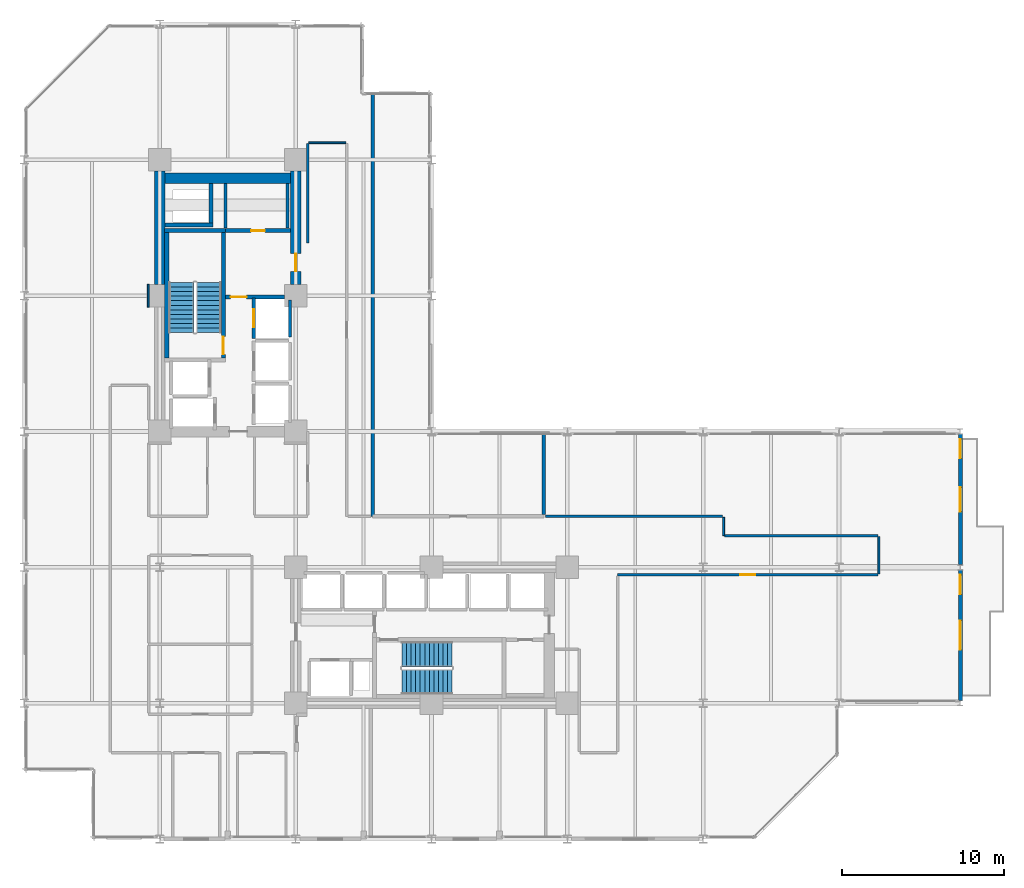
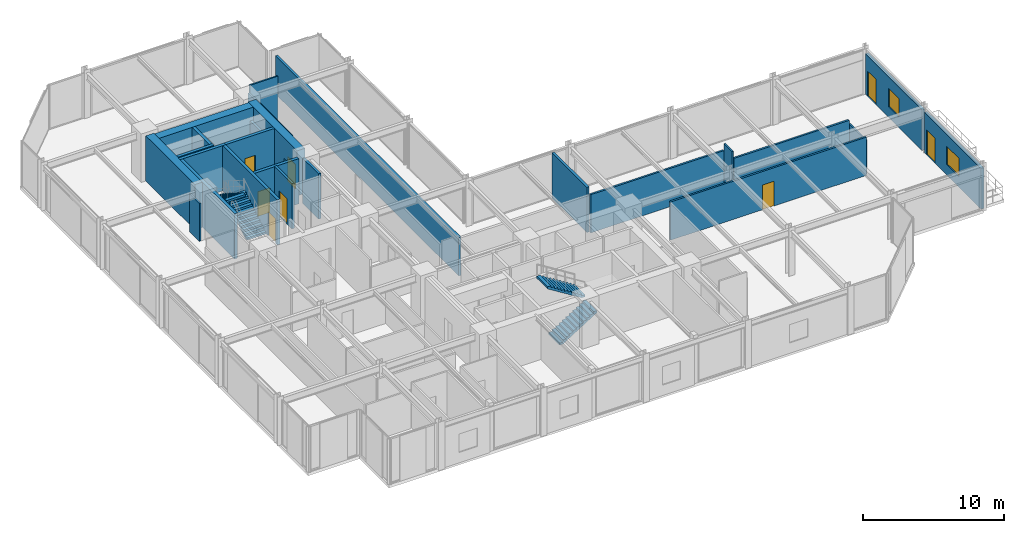
# One storey, part 23 of 26: 26 walls, 8 doors, 4 stair flights, 2 windows, 10 openings, 2 elements without a shape of their own.
"""IFC4 building model written with IfcOpenShell, lengths in metres."""

from ifc_helpers import new_model, si_unit, direction, frame, frame_2d, origin, place, context, subcontext, project, spatial, polyline, rectangle, outline, extrude, material, layer, layer_set, type_object, element, fill, aggregate, save


model = new_model("IFC4")

# Units and contexts
model_context = context("Model", 3, precision=1e-05, world=origin(), true_north=direction((0.0, 1.0)))
body_context = subcontext(model_context, "Body", "Model", "MODEL_VIEW")
ifc_project = project(units=[si_unit("LENGTHUNIT", "METRE"), si_unit("AREAUNIT", "SQUARE_METRE"), si_unit("VOLUMEUNIT", "CUBIC_METRE"), si_unit("PLANEANGLEUNIT", "RADIAN"), si_unit("MASSUNIT", "GRAM", prefix="KILO")], contexts=[model_context])

# Site, building, storey
site_placement = place(None, origin())
site = spatial("IfcSite", under=ifc_project, at=site_placement, CompositionType="ELEMENT")
building_placement = place(site_placement, origin())
building = spatial("IfcBuilding", under=site, at=building_placement, Name="Nerrivon Quay Data Exchange", CompositionType="ELEMENT")
storey_placement = place(building_placement, frame((0.0, 0.0, 71.0)))
storey = spatial("IfcBuildingStorey", under=building, at=storey_placement, Name="L16", CompositionType="ELEMENT", Elevation=71.0)

# Wall, openings, door, window
ifc_material_1 = material(Name="Architectural terracotta precast concrete N50 (50 MPa)", Category="masonry")
ifc_layer_1 = layer(ifc_material_1, 0.239990234375)
ifc_layer_set_1 = layer_set([ifc_layer_1], Name="Architectural terracotta precast concrete N50 (50 MPa)")
wall_type_1 = type_object("IfcWallType", Name="EW-PREC-240", PredefinedType="STANDARD", material=ifc_layer_set_1)
wall_1_placement = place(storey_placement, frame((57.89990234375, 25.03662109375, 0.0), z_axis=(0.0, 0.0, 1.0), x_axis=(0.0, -1.0, 0.0)))
wall_1 = element("IfcWall", 1, at=wall_1_placement, inside=storey, type_object=wall_type_1, Name="L16 Terrace Host Wall 1", PredefinedType="STANDARD", context=body_context, shape_type="SweptSolid", body=[
    extrude(rectangle(XDim=8.0732421875, YDim=0.239990234375, at=frame_2d((4.03662109375, 0.0))), origin(), (0.0, 0.0, 1.0), 3.52197265625),
])
opening_1_placement = place(wall_1_placement, frame((0.300048828125, 0.0, 0.0)))
opening_1 = element("IfcOpeningElement", 2, at=opening_1_placement, cuts=wall_1, Name="Opening TD1", PredefinedType="OPENING", context=body_context, shape_type="SweptSolid", body=[
    extrude(rectangle(XDim=1.199951171875, YDim=2.199951171875, at=frame_2d((0.60009765625, 1.10009765625))), frame((0.0, 0.1298828125, 0.0), z_axis=(0.0, -1.0, 0.0), x_axis=(1.0, 0.0, 0.0)), (0.0, 0.0, 1.0), 0.260009765625),
])
opening_2_placement = place(wall_1_placement, frame((3.28662109375, 0.0, 0.89990234375)))
opening_2 = element("IfcOpeningElement", 3, at=opening_2_placement, cuts=wall_1, Name="Opening WN4", PredefinedType="OPENING", context=body_context, shape_type="SweptSolid", body=[
    extrude(rectangle(XDim=1.5, YDim=1.60009765625, at=frame_2d((0.75, 0.800048828125))), frame((0.0, 0.1298828125, 0.0), z_axis=(0.0, -1.0, 0.0), x_axis=(1.0, 0.0, 0.0)), (0.0, 0.0, 1.0), 0.260009765625),
])
ifc_material_2 = material(Name="Double-glazed low-E solar control glass", Category="glass")
door_type_1 = type_object("IfcDoorType", Name="DR-TERR-1200x2200", OperationType="NOTDEFINED", PredefinedType="DOOR", material=ifc_material_2)
door_1_placement = place(opening_1_placement, origin())
door_1 = element("IfcDoor", 4, at=door_1_placement, inside=storey, type_object=door_type_1, Name="L16 Outdoor Terrace Access Door 1", OperationType="SINGLE_SWING_RIGHT", OverallHeight=2.199951171875, OverallWidth=1.199951171875, PredefinedType="DOOR", context=body_context, shape_type="SweptSolid", body=[
    extrude(rectangle(XDim=1.199951171875, YDim=2.199951171875, at=frame_2d((0.60009765625, 1.10009765625))), frame((0.0, 0.02490234375, 0.0), z_axis=(0.0, -1.0, 0.0), x_axis=(1.0, 0.0, 0.0)), (0.0, 0.0, 1.0), 0.050048828125),
])
fill(opening_1, door_1)
window_type_1 = type_object("IfcWindowType", Name="WIN-W4-1500x1600", PartitioningType="SINGLE_PANEL", PredefinedType="WINDOW", material=ifc_material_2)
window_1_placement = place(opening_2_placement, origin())
window_1 = element("IfcWindow", 5, at=window_1_placement, inside=storey, type_object=window_type_1, Name="L16 Terrace Side Window 1", OverallHeight=1.60009765625, OverallWidth=1.5, PartitioningType="SINGLE_PANEL", PredefinedType="WINDOW", context=body_context, shape_type="SweptSolid", body=[
    extrude(rectangle(XDim=1.5, YDim=1.60009765625, at=frame_2d((0.75, 0.800048828125))), frame((0.0, 0.030029296875, 0.0), z_axis=(0.0, -1.0, 0.0), x_axis=(1.0, 0.0, 0.0)), (0.0, 0.0, 1.0), 0.06005859375),
])
fill(opening_2, window_1)

wall_2_placement = place(storey_placement, frame((57.89990234375, 16.636474609375, 0.0), z_axis=(0.0, 0.0, 1.0), x_axis=(0.0, -1.0, 0.0)))
wall_2 = element("IfcWall", 6, at=wall_2_placement, inside=storey, type_object=wall_type_1, Name="L16 Terrace Host Wall 2", PredefinedType="STANDARD", context=body_context, shape_type="SweptSolid", body=[
    extrude(rectangle(XDim=8.072998046875, YDim=0.239990234375, at=frame_2d((4.03662109375, 0.0))), origin(), (0.0, 0.0, 1.0), 3.52197265625),
])
opening_3_placement = place(wall_2_placement, frame((0.300048828125, 0.0, 0.0)))
opening_3 = element("IfcOpeningElement", 7, at=opening_3_placement, cuts=wall_2, Name="Opening TD1", PredefinedType="OPENING", context=body_context, shape_type="SweptSolid", body=[
    extrude(rectangle(XDim=1.199951171875, YDim=2.199951171875, at=frame_2d((0.60009765625, 1.10009765625))), frame((0.0, 0.1298828125, 0.0), z_axis=(0.0, -1.0, 0.0), x_axis=(1.0, 0.0, 0.0)), (0.0, 0.0, 1.0), 0.260009765625),
])
opening_4_placement = place(wall_2_placement, frame((3.136474609375, 0.0, 0.89990234375)))
opening_4 = element("IfcOpeningElement", 8, at=opening_4_placement, cuts=wall_2, Name="Opening WN2", PredefinedType="OPENING", context=body_context, shape_type="SweptSolid", body=[
    extrude(rectangle(XDim=1.800048828125, YDim=1.60009765625, at=frame_2d((0.89990234375, 0.800048828125))), frame((0.0, 0.1298828125, 0.0), z_axis=(0.0, -1.0, 0.0), x_axis=(1.0, 0.0, 0.0)), (0.0, 0.0, 1.0), 0.260009765625),
])
door_2_placement = place(opening_3_placement, origin())
door_2 = element("IfcDoor", 9, at=door_2_placement, inside=storey, type_object=door_type_1, Name="L16 Outdoor Terrace Access Door 2", OperationType="SINGLE_SWING_LEFT", OverallHeight=2.199951171875, OverallWidth=1.199951171875, PredefinedType="DOOR", context=body_context, shape_type="SweptSolid", body=[
    extrude(rectangle(XDim=1.199951171875, YDim=2.199951171875, at=frame_2d((0.60009765625, 1.10009765625))), frame((0.0, 0.02490234375, 0.0), z_axis=(0.0, -1.0, 0.0), x_axis=(1.0, 0.0, 0.0)), (0.0, 0.0, 1.0), 0.050048828125),
])
fill(opening_3, door_2)
window_type_2 = type_object("IfcWindowType", Name="WIN-W2-1800x1600", PartitioningType="SINGLE_PANEL", PredefinedType="WINDOW", material=ifc_material_2)
window_2_placement = place(opening_4_placement, origin())
window_2 = element("IfcWindow", 10, at=window_2_placement, inside=storey, type_object=window_type_2, Name="L16 Terrace Side Window 2", OverallHeight=1.60009765625, OverallWidth=1.800048828125, PartitioningType="SINGLE_PANEL", PredefinedType="WINDOW", context=body_context, shape_type="SweptSolid", body=[
    extrude(rectangle(XDim=1.800048828125, YDim=1.60009765625, at=frame_2d((0.89990234375, 0.800048828125))), frame((0.0, 0.030029296875, 0.0), z_axis=(0.0, -1.0, 0.0), x_axis=(1.0, 0.0, 0.0)), (0.0, 0.0, 1.0), 0.06005859375),
])
fill(opening_4, window_2)

# Walls
ifc_material_3 = material(Name="Concrete N80 (80 MPa)", Category="concrete")
ifc_layer_2 = layer(ifc_material_3, 0.64990234375)
ifc_layer_set_2 = layer_set([ifc_layer_2], Name="Concrete N80 (80 MPa)")
wall_type_2 = type_object("IfcWallType", Name="WALL-CW-850", PredefinedType="SHEAR", material=ifc_layer_set_2)
wall_3_placement = place(storey_placement, frame((8.39990234375, 34.300048828125, 0.0), z_axis=(0.0, 0.0, 1.0), x_axis=(0.0, 1.0, 0.0)))
element("IfcWall", 11, at=wall_3_placement, inside=storey, type_object=wall_type_2, Name="L16 West Split-Core Shear Wall WCW-W2", PredefinedType="SHEAR", context=body_context, shape_type="SweptSolid", body=[
    extrude(rectangle(XDim=7.0, YDim=0.64990234375, at=frame_2d((3.5, 0.0))), origin(), (0.0, 0.0, 1.0), 3.925048828125),
])
wall_4_placement = place(storey_placement, frame((8.72509765625, 40.875, 0.0), z_axis=(0.0, 0.0, 1.0), x_axis=(1.0, 0.0, 0.0)))
element("IfcWall", 12, at=wall_4_placement, inside=storey, type_object=wall_type_2, Name="L16 West Split-Core Shear Wall WCW-N1", PredefinedType="SHEAR", context=body_context, shape_type="SweptSolid", body=[
    extrude(rectangle(XDim=7.75, YDim=0.64990234375, at=frame_2d((3.875, 0.0))), origin(), (0.0, 0.0, 1.0), 3.925048828125),
])

# Wall, opening, door
wall_5_placement = place(storey_placement, frame((16.800048828125, 34.300048828125, 0.0), z_axis=(0.0, 0.0, 1.0), x_axis=(0.0, 1.0, 0.0)))
wall_5 = element("IfcWall", 13, at=wall_5_placement, inside=storey, type_object=wall_type_2, Name="L16 West Split-Core Shear Wall WCW-E1", PredefinedType="SHEAR", context=body_context, shape_type="SweptSolid", body=[
    extrude(rectangle(XDim=7.0, YDim=0.64990234375, at=frame_2d((3.5, 0.0))), origin(), (0.0, 0.0, 1.0), 3.925048828125),
])
opening_5_placement = place(wall_5_placement, frame((0.800048828125, 0.0, 0.0)))
opening_5 = element("IfcOpeningElement", 14, at=opening_5_placement, cuts=wall_5, Name="Opening FD-120", PredefinedType="OPENING", context=body_context, shape_type="SweptSolid", body=[
    extrude(rectangle(XDim=1.10009765625, YDim=2.14990234375, at=frame_2d((0.550048828125, 1.074951171875))), frame((0.0, 0.3349609375, 0.0), z_axis=(0.0, -1.0, 0.0), x_axis=(1.0, 0.0, 0.0)), (0.0, 0.0, 1.0), 0.669921875),
])
ifc_material_4 = material(Name="Powder-coated galvanized steel sheet", Category="steel")
door_type_2 = type_object("IfcDoorType", Name="DR-FD120-1100", OperationType="NOTDEFINED", PredefinedType="DOOR", material=ifc_material_4)
door_3_placement = place(opening_5_placement, origin())
door_3 = element("IfcDoor", 15, at=door_3_placement, inside=storey, type_object=door_type_2, Name="L16 West Core Lobby Fire Door", OperationType="SINGLE_SWING_RIGHT", OverallHeight=2.14990234375, OverallWidth=1.10009765625, PredefinedType="DOOR", context=body_context, shape_type="SweptSolid", body=[
    extrude(rectangle(XDim=1.10009765625, YDim=2.14990234375, at=frame_2d((0.550048828125, 1.074951171875))), frame((0.0, 0.02490234375, 0.0), z_axis=(0.0, -1.0, 0.0), x_axis=(1.0, 0.0, 0.0)), (0.0, 0.0, 1.0), 0.050048828125),
])
fill(opening_5, door_3)

ifc_material_5 = material(Name="Gypsum plasterboard on cold-formed framing", Category="gypsum")
ifc_layer_3 = layer(ifc_material_5, 0.199951171875)
ifc_layer_set_3 = layer_set([ifc_layer_3], Name="Gypsum plasterboard on cold-formed framing")
wall_type_3 = type_object("IfcWallType", Name="WALL-FW-200", PredefinedType="PARTITIONING", material=ifc_layer_set_3)
wall_6_placement = place(storey_placement, frame((14.199951171875, 30.949951171875, 0.0), z_axis=(0.0, 0.0, 1.0), x_axis=(0.0, 1.0, 0.0)))
wall_6 = element("IfcWall", 16, at=wall_6_placement, inside=storey, type_object=wall_type_3, Name="L16 Lift Front Wall PL3", PredefinedType="PARTITIONING", context=body_context, shape_type="SweptSolid", body=[
    extrude(rectangle(XDim=2.5, YDim=0.199951171875, at=frame_2d((1.25, 0.0))), origin(), (0.0, 0.0, 1.0), 3.925048828125),
])
opening_6_placement = place(wall_6_placement, frame((0.699951171875, 0.0, 0.0)))
opening_6 = element("IfcOpeningElement", 17, at=opening_6_placement, cuts=wall_6, Name="Opening LD-120", PredefinedType="OPENING", context=body_context, shape_type="SweptSolid", body=[
    extrude(rectangle(XDim=1.10009765625, YDim=2.199951171875, at=frame_2d((0.550048828125, 1.10009765625))), frame((0.0, 0.10986328125, 0.0), z_axis=(0.0, -1.0, 0.0), x_axis=(1.0, 0.0, 0.0)), (0.0, 0.0, 1.0), 0.219970703125),
])
door_type_3 = type_object("IfcDoorType", Name="DR-LIFT-LD120", OperationType="DOUBLE_DOOR_SLIDING", PredefinedType="DOOR", material=ifc_material_4)
door_4_placement = place(opening_6_placement, origin())
door_4 = element("IfcDoor", 18, at=door_4_placement, inside=storey, type_object=door_type_3, Name="L16 Lift Landing Sliding Door PL3", OperationType="DOUBLE_DOOR_SLIDING", OverallHeight=2.199951171875, OverallWidth=1.10009765625, PredefinedType="DOOR", context=body_context, shape_type="SweptSolid", body=[
    extrude(rectangle(XDim=1.10009765625, YDim=2.199951171875, at=frame_2d((0.550048828125, 1.10009765625))), frame((0.0, 0.02490234375, 0.0), z_axis=(0.0, -1.0, 0.0), x_axis=(1.0, 0.0, 0.0)), (0.0, 0.0, 1.0), 0.050048828125),
])
fill(opening_6, door_4)

# Walls
wall_7_placement = place(storey_placement, frame((16.449951171875, 31.050048828125, 0.0), z_axis=(0.0, 0.0, 1.0), x_axis=(0.0, 1.0, 0.0)))
element("IfcWall", 19, at=wall_7_placement, inside=storey, type_object=wall_type_3, Name="L16 Lift Shaft Wall PL3 EAST", PredefinedType="PARTITIONING", context=body_context, shape_type="SweptSolid", body=[
    extrude(rectangle(XDim=2.300048828125, YDim=0.199951171875, at=frame_2d((1.14990234375, 0.0))), origin(), (0.0, 0.0, 1.0), 3.925048828125),
])
for number, where, z_axis, x_axis, name in (
    (20, (16.300048828125, 37.780029296875, 0.0), (0.0, 0.0, 1.0), (0.0, 1.0, 0.0), "L16 Partition Cleaners Store"),
    (21, (12.449951171875, 40.5458984375, 0.0), (0.0, 0.0, 1.0), (0.0, -1.0, 0.0), "L16 Partition Cleaners Store"),
):
    element("IfcWall", number, at=place(storey_placement, frame(where, z_axis=z_axis, x_axis=x_axis)), inside=storey, type_object=wall_type_3, Name=name, PredefinedType="PARTITIONING", context=body_context, shape_type="SweptSolid", body=[
        extrude(rectangle(XDim=2.765869140625, YDim=0.199951171875, at=frame_2d((1.3828125, 0.0))), origin(), (0.0, 0.0, 1.0), 2.824951171875),
    ])
wall_8_placement = place(storey_placement, frame((21.556884765625, 46.031005859375, 0.0), z_axis=(0.0, 0.0, 1.0), x_axis=(0.0, -1.0, 0.0)))
element("IfcWall", 22, at=wall_8_placement, inside=storey, type_object=wall_type_3, Name="L16 Partition Colocation Data Workspace 2", PredefinedType="PARTITIONING", context=body_context, shape_type="SweptSolid", body=[
    extrude(rectangle(XDim=26.071044921875, YDim=0.199951171875, at=frame_2d((13.03564453125, 0.0))), origin(), (0.0, 0.0, 1.0), 3.31298828125),
])
wall_9_placement = place(storey_placement, frame((32.139892578125, 20.06396484375, 0.0), z_axis=(0.0, 0.0, 1.0), x_axis=(0.0, 1.0, 0.0)))
element("IfcWall", 23, at=wall_9_placement, inside=storey, type_object=wall_type_3, Name="L16 Partition Colocation Data Workspace 2", PredefinedType="PARTITIONING", context=body_context, shape_type="SweptSolid", body=[
    extrude(rectangle(XDim=4.967041015625, YDim=0.199951171875, at=frame_2d((2.4833984375, 0.0))), origin(), (0.0, 0.0, 1.0), 3.925048828125),
])
ifc_layer_4 = layer(ifc_material_5, 0.1201171875)
ifc_layer_set_4 = layer_set([ifc_layer_4], Name="Gypsum plasterboard on cold-formed framing")
wall_type_4 = type_object("IfcWallType", Name="WALL-PT-120", PredefinedType="PARTITIONING", material=ifc_layer_set_4)
wall_10_placement = place(storey_placement, frame((43.260009765625, 19.89990234375, 0.0), z_axis=(0.0, 0.0, 1.0), x_axis=(0.0, -1.0, 0.0)))
element("IfcWall", 24, at=wall_10_placement, inside=storey, type_object=wall_type_4, Name="L16 Partition Network Operations Office 1", PredefinedType="PARTITIONING", context=body_context, shape_type="SweptSolid", body=[
    extrude(rectangle(XDim=1.139892578125, YDim=0.1201171875, at=frame_2d((0.56982421875, 0.0))), origin(), (0.0, 0.0, 1.0), 3.925048828125),
])
wall_11_placement = place(storey_placement, frame((52.860107421875, 18.699951171875, 0.0), z_axis=(0.0, 0.0, 1.0), x_axis=(0.0, -1.0, 0.0)))
element("IfcWall", 25, at=wall_11_placement, inside=storey, type_object=wall_type_4, Name="L16 Partition Network Operations Office 1", PredefinedType="PARTITIONING", context=body_context, shape_type="SweptSolid", body=[
    extrude(rectangle(XDim=2.300048828125, YDim=0.1201171875, at=frame_2d((1.14990234375, 0.0))), origin(), (0.0, 0.0, 1.0), 3.014892578125),
])
wall_12_placement = place(storey_placement, frame((7.680908203125, 32.894287109375, 0.0), z_axis=(0.0, 0.0, 1.0), x_axis=(-0.000694685487, 0.999999758706, 0.0)))
element("IfcWall", 26, at=wall_12_placement, inside=storey, type_object=wall_type_4, Name="L16 Partition Optical Engineering Studios Workspace", PredefinedType="PARTITIONING", context=body_context, shape_type="SweptSolid", body=[
    extrude(rectangle(XDim=1.40576171875, YDim=0.1201171875, at=frame_2d((0.702880859375, 0.0))), origin(), (0.0, 0.0, 1.0), 3.31298828125),
])
wall_13_placement = place(storey_placement, frame((17.60009765625, 43.06005859375, 0.0), z_axis=(0.0, 0.0, 1.0), x_axis=(1.0, 0.0, 0.0)))
element("IfcWall", 27, at=wall_13_placement, inside=storey, type_object=wall_type_4, Name="L16 Partition Optical Engineering Studios Workspace", PredefinedType="PARTITIONING", context=body_context, shape_type="SweptSolid", body=[
    extrude(rectangle(XDim=2.2998046875, YDim=0.1201171875, at=frame_2d((1.14990234375, 0.0))), origin(), (0.0, 0.0, 1.0), 3.925048828125),
])
ifc_layer_5 = layer(ifc_material_5, 0.14990234375)
ifc_layer_set_5 = layer_set([ifc_layer_5], Name="Gypsum plasterboard on cold-formed framing")
wall_type_5 = type_object("IfcWallType", Name="WALL-PT-150", PredefinedType="PARTITIONING", material=ifc_layer_set_5)
wall_14_placement = place(storey_placement, frame((32.260009765625, 19.9599609375, 0.0), z_axis=(0.0, 0.0, 1.0), x_axis=(0.999999999751, -2.2304501e-05, 0.0)))
element("IfcWall", 28, at=wall_14_placement, inside=storey, type_object=wall_type_5, Name="L16 Partition Network Operations Office 1", PredefinedType="PARTITIONING", context=body_context, shape_type="SweptSolid", body=[
    extrude(rectangle(XDim=10.94580078125, YDim=0.14990234375, at=frame_2d((5.472900390625, 0.0))), origin(), (0.0, 0.0, 1.0), 3.322998046875),
])
wall_15_placement = place(storey_placement, frame((43.323974609375, 18.760009765625, 0.0), z_axis=(0.0, 0.0, 1.0), x_axis=(1.0, 0.0, 0.0)))
element("IfcWall", 29, at=wall_15_placement, inside=storey, type_object=wall_type_5, Name="L16 Partition Network Operations Office 1", PredefinedType="PARTITIONING", context=body_context, shape_type="SweptSolid", body=[
    extrude(rectangle(XDim=9.47607421875, YDim=0.14990234375, at=frame_2d((4.738037109375, 0.0))), origin(), (0.0, 0.0, 1.0), 3.322998046875),
])

# Wall, opening, door
wall_16_placement = place(storey_placement, frame((52.800048828125, 16.340087890625, 0.0), z_axis=(0.0, 0.0, 1.0), x_axis=(-1.0, 0.0, 0.0)))
wall_16 = element("IfcWall", 30, at=wall_16_placement, inside=storey, type_object=wall_type_5, Name="L16 Partition Network Operations Office 1", PredefinedType="PARTITIONING", context=body_context, shape_type="SweptSolid", body=[
    extrude(rectangle(XDim=16.090087890625, YDim=0.14990234375, at=frame_2d((8.044921875, 0.0))), origin(), (0.0, 0.0, 1.0), 3.322998046875),
])
opening_7_placement = place(wall_16_placement, frame((7.570068359375, 0.0, 0.0)))
opening_7 = element("IfcOpeningElement", 31, at=opening_7_placement, cuts=wall_16, Name="Opening D-01", PredefinedType="OPENING", context=body_context, shape_type="SweptSolid", body=[
    extrude(rectangle(XDim=0.949951171875, YDim=2.14990234375, at=frame_2d((0.47509765625, 1.074951171875))), frame((0.0, 0.0849609375, 0.0), z_axis=(0.0, -1.0, 0.0), x_axis=(1.0, 0.0, 0.0)), (0.0, 0.0, 1.0), 0.169921875),
])
ifc_material_6 = material(Name="Engineered hardwood timber", Category="wood")
door_type_4 = type_object("IfcDoorType", Name="DR-INT-950", OperationType="NOTDEFINED", PredefinedType="DOOR", material=ifc_material_6)
door_5_placement = place(opening_7_placement, origin())
door_5 = element("IfcDoor", 32, at=door_5_placement, inside=storey, type_object=door_type_4, Name="L16 Door Network Operations Office 1", OperationType="SINGLE_SWING_LEFT", OverallHeight=2.14990234375, OverallWidth=0.949951171875, PredefinedType="DOOR", context=body_context, shape_type="SweptSolid", body=[
    extrude(rectangle(XDim=0.949951171875, YDim=2.14990234375, at=frame_2d((0.47509765625, 1.074951171875))), frame((0.0, 0.02490234375, 0.0), z_axis=(0.0, -1.0, 0.0), x_axis=(1.0, 0.0, 0.0)), (0.0, 0.0, 1.0), 0.050048828125),
])
fill(opening_7, door_5)

# Walls
wall_17_placement = place(storey_placement, frame((17.5400390625, 36.860107421875, 0.0), z_axis=(0.0, 0.0, 1.0), x_axis=(0.0, 1.0, 0.0)))
element("IfcWall", 33, at=wall_17_placement, inside=storey, type_object=wall_type_5, Name="L16 Partition Optical Engineering Studios Workspace", PredefinedType="PARTITIONING", context=body_context, shape_type="SweptSolid", body=[
    extrude(rectangle(XDim=6.139892578125, YDim=0.14990234375, at=frame_2d((3.06982421875, 0.0))), origin(), (0.0, 0.0, 1.0), 3.31298828125),
])
ifc_material_7 = material(Name="Concrete N50 (50 MPa)", Category="concrete")
ifc_layer_6 = layer(ifc_material_7, 0.25)
ifc_layer_set_6 = layer_set([ifc_layer_6], Name="Concrete N50 (50 MPa)")
wall_type_6 = type_object("IfcWallType", Name="WALL-SW-250", PredefinedType="SHEAR", material=ifc_layer_set_6)
wall_18_placement = place(storey_placement, frame((12.449951171875, 37.625, 0.0), z_axis=(0.0, 0.0, 1.0), x_axis=(-1.0, 0.0, 0.0)))
element("IfcWall", 34, at=wall_18_placement, inside=storey, type_object=wall_type_6, Name="L16 ST01 Structural Stair Core Wall FAR", PredefinedType="SHEAR", context=body_context, shape_type="SweptSolid", body=[
    extrude(rectangle(XDim=3.75, YDim=0.25, at=frame_2d((1.875, 0.0))), origin(), (0.0, 0.0, 1.0), 3.925048828125),
])

# Wall, opening, door
wall_19_placement = place(storey_placement, frame((12.324951171875, 29.75, 0.0), z_axis=(0.0, 0.0, 1.0), x_axis=(0.0, 1.0, 0.0)))
wall_19 = element("IfcWall", 35, at=wall_19_placement, inside=storey, type_object=wall_type_6, Name="L16 ST01 Structural Stair Core Wall LEFT", PredefinedType="SHEAR", context=body_context, shape_type="SweptSolid", body=[
    extrude(rectangle(XDim=7.75, YDim=0.25, at=frame_2d((3.875, 0.0))), origin(), (0.0, 0.0, 1.0), 3.925048828125),
])
opening_8_placement = place(wall_19_placement, frame((0.219970703125, 0.0, 0.0)))
opening_8 = element("IfcOpeningElement", 36, at=opening_8_placement, cuts=wall_19, Name="Opening FD-120", PredefinedType="OPENING", context=body_context, shape_type="SweptSolid", body=[
    extrude(rectangle(XDim=1.10009765625, YDim=2.14990234375, at=frame_2d((0.550048828125, 1.074951171875))), frame((0.0, 0.135009765625, 0.0), z_axis=(0.0, -1.0, 0.0), x_axis=(1.0, 0.0, 0.0)), (0.0, 0.0, 1.0), 0.27001953125),
])
door_6_placement = place(opening_8_placement, origin())
door_6 = element("IfcDoor", 37, at=door_6_placement, inside=storey, type_object=door_type_2, Name="L16 Protected Stair Door ST01", OperationType="SINGLE_SWING_RIGHT", OverallHeight=2.14990234375, OverallWidth=1.10009765625, PredefinedType="DOOR", context=body_context, shape_type="SweptSolid", body=[
    extrude(rectangle(XDim=1.10009765625, YDim=2.14990234375, at=frame_2d((0.550048828125, 1.074951171875))), frame((0.0, 0.02490234375, 0.0), z_axis=(0.0, -1.0, 0.0), x_axis=(1.0, 0.0, 0.0)), (0.0, 0.0, 1.0), 0.050048828125),
])
fill(opening_8, door_6)

# Walls
wall_20_placement = place(storey_placement, frame((8.824951171875, 29.75, 0.0), z_axis=(0.0, 0.0, 1.0), x_axis=(0.0, 1.0, 0.0)))
element("IfcWall", 38, at=wall_20_placement, inside=storey, type_object=wall_type_6, Name="L16 ST01 Structural Stair Core Wall RIGHT", PredefinedType="SHEAR", context=body_context, shape_type="SweptSolid", body=[
    extrude(rectangle(XDim=7.75, YDim=0.25, at=frame_2d((3.875, 0.0))), origin(), (0.0, 0.0, 1.0), 3.925048828125),
])
wall_21_placement = place(storey_placement, frame((8.72509765625, 37.97509765625, 0.0), z_axis=(0.0, 0.0, 1.0), x_axis=(1.0, 0.0, 0.0)))
element("IfcWall", 39, at=wall_21_placement, inside=storey, type_object=wall_type_6, Name="L16 West Core MEP Riser Shaft Wall S", PredefinedType="SHEAR", context=body_context, shape_type="SweptSolid", body=[
    extrude(rectangle(XDim=2.974853515625, YDim=0.25, at=frame_2d((1.4873046875, 0.0))), origin(), (0.0, 0.0, 1.0), 3.925048828125),
])
wall_22_placement = place(storey_placement, frame((11.574951171875, 38.10009765625, 0.0), z_axis=(0.0, 0.0, 1.0), x_axis=(0.0, 1.0, 0.0)))
element("IfcWall", 40, at=wall_22_placement, inside=storey, type_object=wall_type_6, Name="L16 West Core MEP Riser Shaft Wall E", PredefinedType="SHEAR", context=body_context, shape_type="SweptSolid", body=[
    extrude(rectangle(XDim=2.449951171875, YDim=0.25, at=frame_2d((1.22509765625, 0.0))), origin(), (0.0, 0.0, 1.0), 3.925048828125),
])

# Wall, opening, door
wall_23_placement = place(storey_placement, frame((12.449951171875, 33.52001953125, 0.0), z_axis=(0.0, 0.0, 1.0), x_axis=(1.0, 0.0, 0.0)))
wall_23 = element("IfcWall", 41, at=wall_23_placement, inside=storey, type_object=wall_type_6, Name="L16 West Lobby Smoke-Stop Wall", PredefinedType="SHEAR", context=body_context, shape_type="SweptSolid", body=[
    extrude(rectangle(XDim=3.650146484375, YDim=0.25, at=frame_2d((1.8251953125, 0.0))), origin(), (0.0, 0.0, 1.0), 3.925048828125),
])
opening_9_placement = place(wall_23_placement, frame((0.320068359375, 0.0, 0.0)))
opening_9 = element("IfcOpeningElement", 42, at=opening_9_placement, cuts=wall_23, Name="Opening FD-60", PredefinedType="OPENING", context=body_context, shape_type="SweptSolid", body=[
    extrude(rectangle(XDim=1.0, YDim=2.14990234375, at=frame_2d((0.5, 1.074951171875))), frame((0.0, 0.135009765625, 0.0), z_axis=(0.0, -1.0, 0.0), x_axis=(1.0, 0.0, 0.0)), (0.0, 0.0, 1.0), 0.27001953125),
])
door_type_5 = type_object("IfcDoorType", Name="DR-FD60-1000", OperationType="NOTDEFINED", PredefinedType="DOOR", material=ifc_material_6)
door_7_placement = place(opening_9_placement, origin())
door_7 = element("IfcDoor", 43, at=door_7_placement, inside=storey, type_object=door_type_5, Name="L16 West Firefighting Lobby Fire Door", OperationType="SINGLE_SWING_RIGHT", OverallHeight=2.14990234375, OverallWidth=1.0, PredefinedType="DOOR", context=body_context, shape_type="SweptSolid", body=[
    extrude(rectangle(XDim=1.0, YDim=2.14990234375, at=frame_2d((0.5, 1.074951171875))), frame((0.0, 0.02490234375, 0.0), z_axis=(0.0, -1.0, 0.0), x_axis=(1.0, 0.0, 0.0)), (0.0, 0.0, 1.0), 0.050048828125),
])
fill(opening_9, door_7)

wall_24_placement = place(storey_placement, frame((12.449951171875, 37.625, 0.0), z_axis=(0.0, 0.0, 1.0), x_axis=(1.0, 0.0, 0.0)))
wall_24 = element("IfcWall", 44, at=wall_24_placement, inside=storey, type_object=wall_type_6, Name="L16 West Firefighting Lobby Wall", PredefinedType="SHEAR", context=body_context, shape_type="SweptSolid", body=[
    extrude(rectangle(XDim=4.025146484375, YDim=0.25, at=frame_2d((2.0126953125, 0.0))), origin(), (0.0, 0.0, 1.0), 3.925048828125),
])
opening_10_placement = place(wall_24_placement, frame((1.58740234375, 0.0, 0.0)))
opening_10 = element("IfcOpeningElement", 45, at=opening_10_placement, cuts=wall_24, Name="Opening FD-60S", PredefinedType="OPENING", context=body_context, shape_type="SweptSolid", body=[
    extrude(rectangle(XDim=0.85009765625, YDim=2.14990234375, at=frame_2d((0.425048828125, 1.074951171875))), frame((0.0, 0.135009765625, 0.0), z_axis=(0.0, -1.0, 0.0), x_axis=(1.0, 0.0, 0.0)), (0.0, 0.0, 1.0), 0.27001953125),
])
door_type_6 = type_object("IfcDoorType", Name="DR-FD60-850", OperationType="NOTDEFINED", PredefinedType="DOOR", material=ifc_material_6)
door_8_placement = place(opening_10_placement, origin())
door_8 = element("IfcDoor", 46, at=door_8_placement, inside=storey, type_object=door_type_6, Name="L16 Door Cleaners Store", OperationType="SINGLE_SWING_RIGHT", OverallHeight=2.14990234375, OverallWidth=0.85009765625, PredefinedType="DOOR", context=body_context, shape_type="SweptSolid", body=[
    extrude(rectangle(XDim=0.85009765625, YDim=2.14990234375, at=frame_2d((0.425048828125, 1.074951171875))), frame((0.0, 0.02490234375, 0.0), z_axis=(0.0, -1.0, 0.0), x_axis=(1.0, 0.0, 0.0)), (0.0, 0.0, 1.0), 0.050048828125),
])
fill(opening_10, door_8)

# Stair, stair flights
stair_type = type_object("IfcStairType", Name="STAIR-DOG-42", PredefinedType="HALF_TURN_STAIR", material=ifc_material_7)
stair_1_placement = place(storey_placement, origin())
stair_1 = element("IfcStair", 47, at=stair_1_placement, inside=storey, type_object=stair_type, Name="L16 West Core Fire Stair ST01", PredefinedType="HALF_TURN_STAIR")
stair_flight_type = type_object("IfcStairFlightType", Name="FLIGHT-DOG-42", PredefinedType="STRAIGHT", material=ifc_material_7)
stair_flight_1_placement = place(storey_placement, frame((11.425048828125, 31.330078125, 0.0), z_axis=(0.0, 0.0, 1.0), x_axis=(0.0, 1.0, 0.0)))
stair_flight_1 = element("IfcStairFlight", 48, at=stair_flight_1_placement, type_object=stair_flight_type, Name="ST01 flight 1", NumberOfRisers=12, NumberOfTreads=11, PredefinedType="STRAIGHT", RiserHeight=0.175, TreadLength=0.28, context=body_context, shape_type="SweptSolid", body=[
    extrude(outline(polyline([(0.0, 0.0), (0.0, 0.175048828125), (0.280029296875, 0.175048828125), (0.280029296875, 0.35009765625), (0.56005859375, 0.35009765625), (0.56005859375, 0.52490234375), (0.840087890625, 0.52490234375), (0.840087890625, 0.699951171875), (1.1201171875, 0.699951171875), (1.1201171875, 0.875), (1.39990234375, 0.875), (1.39990234375, 1.050048828125), (1.679931640625, 1.050048828125), (1.679931640625, 1.22509765625), (1.9599609375, 1.22509765625), (1.9599609375, 1.39990234375), (2.239990234375, 1.39990234375), (2.239990234375, 1.574951171875), (2.52001953125, 1.574951171875), (2.52001953125, 1.75), (2.800048828125, 1.75), (2.800048828125, 1.925048828125), (3.080078125, 1.925048828125), (3.080078125, 2.10009765625), (3.080078125, 1.748291015625), (0.28271484375, 0.0), (0.0, 0.0)])), frame((0.0, 0.77490234375, 0.0), z_axis=(0.0, -1.0, 0.0), x_axis=(1.0, 0.0, 0.0)), (0.0, 0.0, 1.0), 1.550048828125),
])
stair_flight_2_placement = place(storey_placement, frame((9.72509765625, 34.409912109375, 2.10009765625), z_axis=(0.0, 0.0, 1.0), x_axis=(0.0, -1.0, 0.0)))
stair_flight_2 = element("IfcStairFlight", 49, at=stair_flight_2_placement, type_object=stair_flight_type, Name="ST01 flight 2", NumberOfRisers=12, NumberOfTreads=11, PredefinedType="STRAIGHT", RiserHeight=0.175, TreadLength=0.28, context=body_context, shape_type="SweptSolid", body=[
    extrude(outline(polyline([(0.0, 0.0), (0.0, 0.175048828125), (0.280029296875, 0.175048828125), (0.280029296875, 0.35009765625), (0.56005859375, 0.35009765625), (0.56005859375, 0.52490234375), (0.840087890625, 0.52490234375), (0.840087890625, 0.699951171875), (1.1201171875, 0.699951171875), (1.1201171875, 0.875), (1.39990234375, 0.875), (1.39990234375, 1.050048828125), (1.679931640625, 1.050048828125), (1.679931640625, 1.22509765625), (1.9599609375, 1.22509765625), (1.9599609375, 1.39990234375), (2.239990234375, 1.39990234375), (2.239990234375, 1.574951171875), (2.52001953125, 1.574951171875), (2.52001953125, 1.75), (2.800048828125, 1.75), (2.800048828125, 1.925048828125), (3.080078125, 1.925048828125), (3.080078125, 2.10009765625), (3.080078125, 1.748291015625), (0.28271484375, 0.0), (0.0, 0.0)])), frame((0.0, 0.77490234375, 0.0), z_axis=(0.0, -1.0, 0.0), x_axis=(1.0, 0.0, 0.0)), (0.0, 0.0, 1.0), 1.550048828125),
])
aggregate(stair_1, [stair_flight_1, stair_flight_2])

stair_2_placement = place(storey_placement, origin())
stair_2 = element("IfcStair", 50, at=stair_2_placement, inside=storey, type_object=stair_type, Name="L16 East Core Fire Stair ST02", PredefinedType="HALF_TURN_STAIR")
stair_flight_3_placement = place(storey_placement, frame((23.3798828125, 9.72509765625, 0.0), z_axis=(0.0, 0.0, 1.0), x_axis=(1.0, 0.0, 0.0)))
stair_flight_3 = element("IfcStairFlight", 51, at=stair_flight_3_placement, type_object=stair_flight_type, Name="ST02 flight 1", NumberOfRisers=12, NumberOfTreads=11, PredefinedType="STRAIGHT", RiserHeight=0.175, TreadLength=0.28, context=body_context, shape_type="SweptSolid", body=[
    extrude(outline(polyline([(0.0, 0.0), (0.0, 0.175048828125), (0.280029296875, 0.175048828125), (0.280029296875, 0.35009765625), (0.56005859375, 0.35009765625), (0.56005859375, 0.52490234375), (0.840087890625, 0.52490234375), (0.840087890625, 0.699951171875), (1.1201171875, 0.699951171875), (1.1201171875, 0.875), (1.39990234375, 0.875), (1.39990234375, 1.050048828125), (1.679931640625, 1.050048828125), (1.679931640625, 1.22509765625), (1.9599609375, 1.22509765625), (1.9599609375, 1.39990234375), (2.239990234375, 1.39990234375), (2.239990234375, 1.574951171875), (2.52001953125, 1.574951171875), (2.52001953125, 1.75), (2.800048828125, 1.75), (2.800048828125, 1.925048828125), (3.080078125, 1.925048828125), (3.080078125, 2.10009765625), (3.080078125, 1.748291015625), (0.28271484375, 0.0), (0.0, 0.0)])), frame((0.0, 0.77490234375, 0.0), z_axis=(0.0, -1.0, 0.0), x_axis=(1.0, 0.0, 0.0)), (0.0, 0.0, 1.0), 1.550048828125),
])
stair_flight_4_placement = place(storey_placement, frame((26.4599609375, 11.425048828125, 2.10009765625), z_axis=(0.0, 0.0, 1.0), x_axis=(-1.0, 0.0, 0.0)))
stair_flight_4 = element("IfcStairFlight", 52, at=stair_flight_4_placement, type_object=stair_flight_type, Name="ST02 flight 2", NumberOfRisers=12, NumberOfTreads=11, PredefinedType="STRAIGHT", RiserHeight=0.175, TreadLength=0.28, context=body_context, shape_type="SweptSolid", body=[
    extrude(outline(polyline([(0.0, 0.0), (0.0, 0.175048828125), (0.280029296875, 0.175048828125), (0.280029296875, 0.35009765625), (0.56005859375, 0.35009765625), (0.56005859375, 0.52490234375), (0.840087890625, 0.52490234375), (0.840087890625, 0.699951171875), (1.1201171875, 0.699951171875), (1.1201171875, 0.875), (1.39990234375, 0.875), (1.39990234375, 1.050048828125), (1.679931640625, 1.050048828125), (1.679931640625, 1.22509765625), (1.9599609375, 1.22509765625), (1.9599609375, 1.39990234375), (2.239990234375, 1.39990234375), (2.239990234375, 1.574951171875), (2.52001953125, 1.574951171875), (2.52001953125, 1.75), (2.800048828125, 1.75), (2.800048828125, 1.925048828125), (3.080078125, 1.925048828125), (3.080078125, 2.10009765625), (3.080078125, 1.748291015625), (0.28271484375, 0.0), (0.0, 0.0)])), frame((0.0, 0.77490234375, 0.0), z_axis=(0.0, -1.0, 0.0), x_axis=(1.0, 0.0, 0.0)), (0.0, 0.0, 1.0), 1.550048828125),
])
aggregate(stair_2, [stair_flight_3, stair_flight_4])

save(model, "model.ifc")
